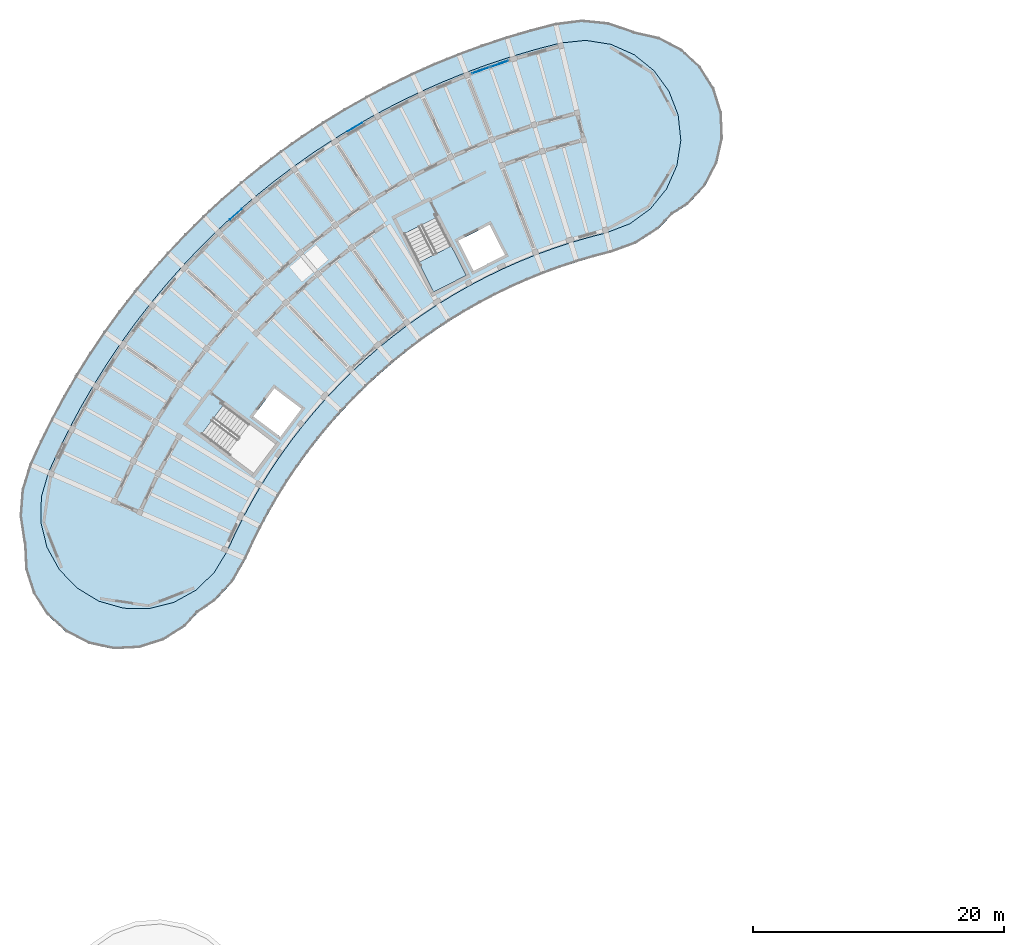
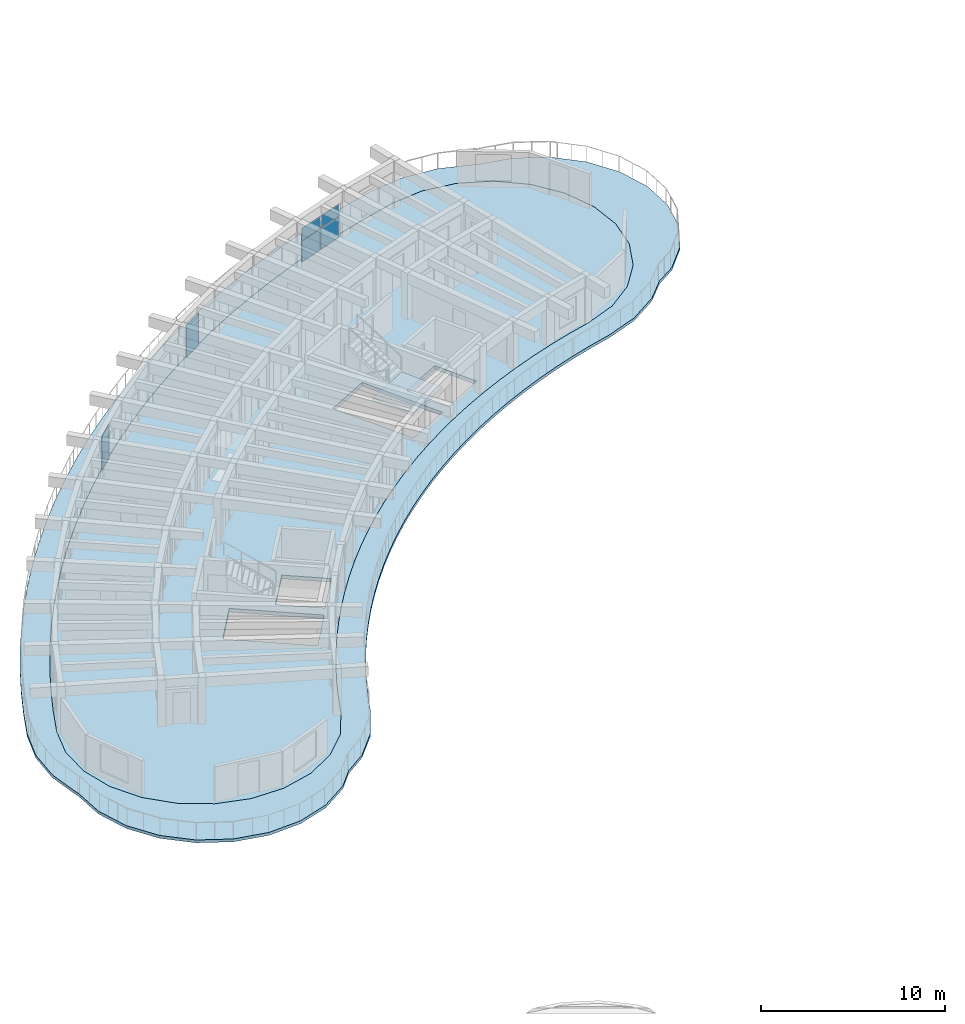
# One storey, part 16 of 36: 6 plates, 3 slabs, 2 elements without a shape of their own.
"""IFC4 building model written with IfcOpenShell, lengths in metres."""

import ifcopenshell
import ifcopenshell.guid

model = None  # the IFC model being written
_history = None  # IfcOwnerHistory: only IFC2X3 demands one
_inside = {}  # id of a spatial element -> (the spatial element, [elements in it])
_under = {}  # id of a project, library or spatial element -> (it, [spatial elements below it])
_declared = {}  # id of a project -> (the project, [libraries it declares])
_typed = {}  # id of a type object -> (the type object, [elements of that type])
_made_of = {}  # id of a material, layer set ... -> (it, [elements and type objects made of it])


def new_model(schema):
    """Start an empty IFC model of exactly this schema.

    Asked for "IFC4X3", IfcOpenShell would pick the latest addendum, in which some entities
    have other attributes; the version numbers below select the first issue.
    IFC2X3 requires an IfcOwnerHistory on every rooted entity: one is made here for all.
    """
    global model, _history
    if schema == "IFC4X3":
        model = ifcopenshell.file(schema_version=(4, 3, 0, 0))
    else:
        model = ifcopenshell.file(schema=schema)
    _inside.clear()
    _under.clear()
    _declared.clear()
    _typed.clear()
    _made_of.clear()
    _history = None
    if model.schema == "IFC2X3":
        org = make("IfcOrganization", Name="unknown")
        user = make(
            "IfcPersonAndOrganization",
            ThePerson=make("IfcPerson", FamilyName="unknown"),
            TheOrganization=org,
        )
        app = make(
            "IfcApplication",
            ApplicationDeveloper=org,
            Version="unknown",
            ApplicationFullName="unknown",
            ApplicationIdentifier="unknown",
        )
        _history = make(
            "IfcOwnerHistory",
            OwningUser=user,
            OwningApplication=app,
            ChangeAction="ADDED",
            CreationDate=0,
        )
    return model


def make(cls, **values):
    """One entity of the class cls with the attributes given. An attribute that is None is left unset."""
    return model.create_entity(
        cls, **{name: value for name, value in values.items() if value is not None}
    )


def rooted(cls, **values):
    """An entity with a GlobalId (a new one), such as an element, a storey or a relation."""
    return make(cls, GlobalId=ifcopenshell.guid.new(), OwnerHistory=_history, **values)


def si_unit(unit_type, name, prefix=None):
    """IfcSIUnit, for example si_unit("LENGTHUNIT", "METRE", prefix="MILLI")."""
    return make("IfcSIUnit", UnitType=unit_type, Prefix=prefix, Name=name)


def assignment(units):
    """IfcUnitAssignment: the units of a project."""
    return None if units is None else make("IfcUnitAssignment", Units=units)


def point(xyz):
    """IfcCartesianPoint."""
    return None if xyz is None else make("IfcCartesianPoint", Coordinates=xyz)


def direction(xyz):
    """IfcDirection."""
    return None if xyz is None else make("IfcDirection", DirectionRatios=xyz)


def frame(location, z_axis=None, x_axis=None):
    """IfcAxis2Placement3D, a coordinate frame: its origin and axes. An axis left out is left unset."""
    return make(
        "IfcAxis2Placement3D",
        Location=point(location),
        Axis=direction(z_axis),
        RefDirection=direction(x_axis),
    )


def frame_2d(location, x_axis=None):
    """IfcAxis2Placement2D, a coordinate frame in the plane: its origin and x axis."""
    return make(
        "IfcAxis2Placement2D", Location=point(location), RefDirection=direction(x_axis)
    )


def origin():
    """The frame at (0, 0, 0) with its axes left unset."""
    return frame((0.0, 0.0, 0.0))


def origin_2d():
    """The frame at (0, 0) in the plane with its x axis left unset."""
    return frame_2d((0.0, 0.0))


def place(relative_to, where):
    """IfcLocalPlacement: puts the frame where relative to a parent placement (None: the world)."""
    return make(
        "IfcLocalPlacement", PlacementRelTo=relative_to, RelativePlacement=where
    )


def context(
    kind, dimensions, precision=None, world=None, true_north=None, identifier=None
):
    """IfcGeometricRepresentationContext, for example the 3D "Model" context."""
    return make(
        "IfcGeometricRepresentationContext",
        ContextIdentifier=identifier,
        ContextType=kind,
        CoordinateSpaceDimension=dimensions,
        Precision=precision,
        WorldCoordinateSystem=world,
        TrueNorth=true_north,
    )


def subcontext(parent, identifier, kind, view, scale=None):
    """IfcGeometricRepresentationSubContext, for example "Body" below "Model"."""
    return make(
        "IfcGeometricRepresentationSubContext",
        ContextIdentifier=identifier,
        ContextType=kind,
        ParentContext=parent,
        TargetScale=scale,
        TargetView=view,
    )


def project(units=None, contexts=None):
    """IfcProject with its units and contexts."""
    return rooted(
        "IfcProject",
        Name="project",
        RepresentationContexts=contexts,
        UnitsInContext=assignment(units),
    )


def spatial(cls, under=None, at=None, **own):
    """A site, building, storey or space (cls), placed at a placement, below another one or the project."""
    s = rooted(cls, ObjectPlacement=at, **own)
    if under is not None:
        _under.setdefault(under.id(), (under, []))[1].append(s)
    return s


def polyline(points):
    """IfcPolyline through the points."""
    return make("IfcPolyline", Points=[point(p) for p in points])


def profile(cls, at=None, kind="AREA", **sizes):
    """A parametric profile (cls). Its sizes go by their IFC names, for example OverallWidth=200.0."""
    return make(cls, ProfileType=kind, Position=at, **sizes)


def rectangle(**sizes):
    """IfcRectangleProfileDef."""
    return profile("IfcRectangleProfileDef", **sizes)


def outline(outer, holes=None, kind="AREA"):
    """IfcArbitraryClosedProfileDef: a profile drawn as a closed curve; with holes, ...WithVoids."""
    if holes is None:
        return make("IfcArbitraryClosedProfileDef", ProfileType=kind, OuterCurve=outer)
    return make(
        "IfcArbitraryProfileDefWithVoids",
        ProfileType=kind,
        OuterCurve=outer,
        InnerCurves=holes,
    )


def extrude(swept, where, along, depth):
    """IfcExtrudedAreaSolid: the profile swept, set in the frame where, extruded along a direction by depth."""
    return make(
        "IfcExtrudedAreaSolid",
        SweptArea=swept,
        Position=where,
        ExtrudedDirection=direction(along),
        Depth=depth,
    )


def shape(context_of_items, identifier, shape_type, items):
    """IfcShapeRepresentation: the items that make up one representation, for example the "Body"."""
    return make(
        "IfcShapeRepresentation",
        ContextOfItems=context_of_items,
        RepresentationIdentifier=identifier,
        RepresentationType=shape_type,
        Items=items,
    )


def material(Name=None, Category=None):
    """IfcMaterial."""
    return make("IfcMaterial", Name=Name, Category=Category)


def layer(
    of_material, thickness, ventilated=None, Name=None, Category=None, Priority=None
):
    """IfcMaterialLayer: one layer of a wall or slab, of a material (None: an air gap)."""
    return make(
        "IfcMaterialLayer",
        Material=of_material,
        LayerThickness=thickness,
        IsVentilated=ventilated,
        Name=Name,
        Category=Category,
        Priority=Priority,
    )


def layer_set(layers, Name=None):
    """IfcMaterialLayerSet."""
    return make("IfcMaterialLayerSet", MaterialLayers=layers, LayerSetName=Name)


def made_of(thing, what):
    """Note that an element or type object is made of a material, layer set ...; save() writes the relation."""
    if what is not None:
        _made_of.setdefault(what.id(), (what, []))[1].append(thing)
    return thing


def type_object(cls, material=None, **own):
    """A type object (cls), such as IfcWallType, which elements share."""
    return made_of(rooted(cls, **own), material)


def element(
    cls,
    number,
    at=None,
    inside=None,
    cuts=None,
    type_object=None,
    material=None,
    context=None,
    identifier="Body",
    shape_type=None,
    held_by="IfcProductDefinitionShape",
    body=None,
    shapes=None,
    **own,
):
    """One element of the class cls, such as IfcWall. Its Tag is "e" and its number.

    at: its placement. inside: the storey or other place that contains it. cuts: it is an
    opening in that element (IfcRelVoidsElement). A single representation is given by context,
    identifier, shape_type and body (its items); several are given by shapes. held_by: the class
    of the entity that holds the representations. save() writes the other relations.
    """
    e = rooted(cls, Tag="e%d" % number, ObjectPlacement=at, **own)
    if body is not None:
        shapes = [shape(context, identifier, shape_type, body)]
    if shapes is not None:
        e.Representation = make(held_by, Representations=shapes)
    if inside is not None:
        _inside.setdefault(inside.id(), (inside, []))[1].append(e)
    if cuts is not None:
        rooted(
            "IfcRelVoidsElement", RelatingBuildingElement=cuts, RelatedOpeningElement=e
        )
    if type_object is not None:
        _typed.setdefault(type_object.id(), (type_object, []))[1].append(e)
    return made_of(e, material)


def aggregate(whole, parts):
    """IfcRelAggregates: a whole, such as a stair, and the parts it consists of."""
    return rooted("IfcRelAggregates", RelatingObject=whole, RelatedObjects=parts)


def save(model, path):
    """Write the relations noted so far, then the file.

    IfcRelAggregates (storeys below a building ...), IfcRelContainedInSpatialStructure (elements
    in a storey), IfcRelDefinesByType, IfcRelAssociatesMaterial and IfcRelDeclares: one each for
    every whole, place, type object, material and project.
    """
    for whole, parts in _under.values():
        aggregate(whole, parts)
    for where, things in _inside.values():
        rooted(
            "IfcRelContainedInSpatialStructure",
            RelatedElements=things,
            RelatingStructure=where,
        )
    for kind, things in _typed.values():
        rooted("IfcRelDefinesByType", RelatedObjects=things, RelatingType=kind)
    for what, things in _made_of.values():
        rooted("IfcRelAssociatesMaterial", RelatedObjects=things, RelatingMaterial=what)
    for by, libraries in _declared.values():
        rooted("IfcRelDeclares", RelatingContext=by, RelatedDefinitions=libraries)
    model.write(path)


model = new_model("IFC4")

# Units and contexts
model_context = context("Model", 3, precision=1e-05, world=origin(), true_north=direction((0.0, 1.0)))
body_context = subcontext(model_context, "Body", "Model", "MODEL_VIEW")
ifc_project = project(units=[si_unit("LENGTHUNIT", "METRE"), si_unit("AREAUNIT", "SQUARE_METRE"), si_unit("VOLUMEUNIT", "CUBIC_METRE"), si_unit("PLANEANGLEUNIT", "RADIAN"), si_unit("MASSUNIT", "GRAM", prefix="KILO")], contexts=[model_context])

# Site, building, storey
site_placement = place(None, origin())
site = spatial("IfcSite", under=ifc_project, at=site_placement, CompositionType="ELEMENT")
building_placement = place(site_placement, origin())
building = spatial("IfcBuilding", under=site, at=building_placement, Name="Tanwirah Colonnade Gardens", CompositionType="ELEMENT")
storey_placement = place(building_placement, frame((0.0, 0.0, 39.080078125)))
storey = spatial("IfcBuildingStorey", under=building, at=storey_placement, Name="L11", CompositionType="ELEMENT", Elevation=39.080078125)

# Curtain wall, plates
ifc_material_1 = material(Name="Bronze-anodised aluminium and solar-control low-E glass", Category="aluminium")
curtain_wall_type = type_object("IfcCurtainWallType", Name="CW-LOB", PredefinedType="NOTDEFINED", material=ifc_material_1)
curtain_wall_placement = place(storey_placement, origin())
curtain_wall = element("IfcCurtainWall", 1, at=curtain_wall_placement, inside=storey, type_object=curtain_wall_type, Name="Curtain Wall CW-A-L11-OUT-03", PredefinedType="NOTDEFINED")
ifc_material_2 = material(Name="Acoustic solar-control low-E double glazing", Category="glass")
ifc_layer_1 = layer(ifc_material_2, 0.031982421875)
ifc_layer_set_1 = layer_set([ifc_layer_1], Name="Acoustic solar-control low-E double glazing")
plate_type_1 = type_object("IfcPlateType", Name="CWP-GLZ32", PredefinedType="CURTAIN_PANEL", material=ifc_layer_set_1)
plate_1_placement = place(storey_placement, frame((46.14501953125, 116.657470703125, 0.070068359375), z_axis=(0.0, 0.0, 1.0), x_axis=(-0.944248655073, -0.329233165694, 0.0)))
plate_1 = element("IfcPlate", 2, at=plate_1_placement, type_object=plate_type_1, Name="CW-LOB panel 1.1", PredefinedType="CURTAIN_PANEL", context=body_context, shape_type="SweptSolid", body=[
    extrude(rectangle(XDim=1.497802734375, YDim=0.031982421875, at=origin_2d()), origin(), (0.0, 0.0, 1.0), 1.35498046875),
])
plate_2_placement = place(storey_placement, frame((46.14501953125, 116.657470703125, 1.4951171875), z_axis=(0.0, 0.0, 1.0), x_axis=(-0.944248655073, -0.329233165694, 0.0)))
plate_2 = element("IfcPlate", 3, at=plate_2_placement, type_object=plate_type_1, Name="CW-LOB panel 1.2", PredefinedType="CURTAIN_PANEL", context=body_context, shape_type="SweptSolid", body=[
    extrude(rectangle(XDim=1.497802734375, YDim=0.031982421875, at=origin_2d()), origin(), (0.0, 0.0, 1.0), 0.789794921875),
])
plate_3_placement = place(storey_placement, frame((44.66455078125, 116.141357421875, 0.070068359375), z_axis=(0.0, 0.0, 1.0), x_axis=(-0.944248655073, -0.329233165694, 0.0)))
plate_3 = element("IfcPlate", 4, at=plate_3_placement, type_object=plate_type_1, Name="CW-LOB panel 2.1", PredefinedType="CURTAIN_PANEL", context=body_context, shape_type="SweptSolid", body=[
    extrude(rectangle(XDim=1.497802734375, YDim=0.031982421875, at=origin_2d()), origin(), (0.0, 0.0, 1.0), 1.35498046875),
])
plate_4_placement = place(storey_placement, frame((44.66455078125, 116.141357421875, 1.4951171875), z_axis=(0.0, 0.0, 1.0), x_axis=(-0.944248655073, -0.329233165694, 0.0)))
plate_4 = element("IfcPlate", 5, at=plate_4_placement, type_object=plate_type_1, Name="CW-LOB panel 2.2", PredefinedType="CURTAIN_PANEL", context=body_context, shape_type="SweptSolid", body=[
    extrude(rectangle(XDim=1.497802734375, YDim=0.031982421875, at=origin_2d()), origin(), (0.0, 0.0, 1.0), 0.789794921875),
])
aggregate(curtain_wall, [plate_1, plate_2, plate_3, plate_4])

# Plates
ifc_material_3 = material(Name="Laser-cut bronze aluminium solar screen plate", Category="aluminium")
ifc_layer_2 = layer(ifc_material_3, 0.01611328125)
ifc_layer_set_2 = layer_set([ifc_layer_2], Name="Laser-cut bronze aluminium solar screen plate")
plate_type_2 = type_object("IfcPlateType", Name="PLT-SCR16", PredefinedType="SHEET", material=ifc_layer_set_2)
plate_5_placement = place(storey_placement, frame((34.62451171875, 111.623779296875, 0.0), z_axis=(0.0, 0.0, 1.0), x_axis=(-0.861135993911, -0.508374664978, 0.0)))
element("IfcPlate", 6, at=plate_5_placement, inside=storey, type_object=plate_type_2, Name="Perforated solar screen plate A-L11-06", PredefinedType="SHEET", context=body_context, shape_type="SweptSolid", body=[
    extrude(rectangle(XDim=1.35009765625, YDim=0.01611328125, at=origin_2d()), origin(), (0.0, 0.0, 1.0), 2.135009765625),
])
plate_6_placement = place(storey_placement, frame((25.13330078125, 104.671875, 0.0), z_axis=(0.0, 0.0, 1.0), x_axis=(-0.744440031514, -0.667689328565, 0.0)))
element("IfcPlate", 7, at=plate_6_placement, inside=storey, type_object=plate_type_2, Name="Perforated solar screen plate A-L11-09", PredefinedType="SHEET", context=body_context, shape_type="SweptSolid", body=[
    extrude(rectangle(XDim=1.25, YDim=0.01611328125, at=origin_2d()), origin(), (0.0, 0.0, 1.0), 2.25),
])

# Slab
ifc_material_4 = material(Name="White architectural precast concrete C40/50", Category="concrete")
ifc_layer_3 = layer(ifc_material_4, 0.18994140625)
ifc_layer_set_3 = layer_set([ifc_layer_3], Name="White architectural precast concrete C40/50")
slab_type_1 = type_object("IfcSlabType", Name="SL-BAL-190", PredefinedType="FLOOR", material=ifc_layer_set_3)
slab_1_placement = place(storey_placement, frame((0.0, 0.0, -0.190185546875)))
element("IfcSlab", 8, at=slab_1_placement, inside=storey, type_object=slab_type_1, Name="Block A L11 Continuous White Balcony Ribbon", PredefinedType="FLOOR", context=body_context, shape_type="SweptSolid", body=[
    extrude(outline(polyline([(59.935546875, 104.677001953125), (61.159423828125, 105.4501953125), (62.541015625, 106.946044921875), (63.48828125, 108.74853515625), (63.9365234375, 110.734619140625), (63.855712890625, 112.769287109375), (63.2509765625, 114.713623046875), (62.16357421875, 116.43505859375), (60.667724609375, 117.816650390625), (58.865234375, 118.763916015625), (56.881591796875, 119.211669921875), (56.786865234375, 119.26953125), (54.791748046875, 119.940673828125), (52.697265625, 120.150634765625), (50.608642578125, 119.8896484375), (48.64892578125, 119.3828125), (46.70703125, 118.811767578125), (44.78515625, 118.1767578125), (42.885009765625, 117.47900390625), (41.009033203125, 116.718994140625), (39.1591796875, 115.8974609375), (37.33740234375, 115.015380859375), (35.545654296875, 114.073974609375), (33.785888671875, 113.07373046875), (32.06005859375, 112.01611328125), (30.3701171875, 110.90234375), (28.717529296875, 109.7333984375), (27.104736328125, 108.510498046875), (25.532958984375, 107.235107421875), (24.00390625, 105.90869140625), (22.51953125, 104.532470703125), (21.08154296875, 103.108154296875), (19.69091796875, 101.63720703125), (18.349853515625, 100.121337890625), (17.059326171875, 98.56201171875), (15.82080078125, 96.9609375), (14.6357421875, 95.320068359375), (13.505615234375, 93.640869140625), (12.431396484375, 91.92529296875), (11.414306640625, 90.17529296875), (10.455322265625, 88.392822265625), (9.5556640625, 86.57958984375), (8.71630859375, 84.73779296875), (8.096435546875, 82.72607421875), (7.939697265625, 80.627197265625), (8.25390625, 78.545654296875), (8.294677734375, 78.4423828125), (8.39111328125, 76.4111328125), (9.010986328125, 74.4716796875), (10.11181640625, 72.758544921875), (11.618408203125, 71.388671875), (13.427978515625, 70.45556640625), (15.417724609375, 70.0224609375), (17.45166015625, 70.119140625), (19.39111328125, 70.739013671875), (21.104248046875, 71.83984375), (22.078125, 72.910888671875), (23.466552734375, 73.85791015625), (24.897705078125, 75.4013671875), (25.94970703125, 77.224609375), (26.531982421875, 78.50244140625), (27.15625, 79.760498046875), (27.821533203125, 80.997314453125), (28.52734375, 82.21142578125), (29.272705078125, 83.401611328125), (30.056884765625, 84.566650390625), (30.87890625, 85.705078125), (31.73828125, 86.81591796875), (32.633544921875, 87.89794921875), (33.564208984375, 88.94970703125), (34.52880859375, 89.97021484375), (35.526611328125, 90.95849609375), (36.556396484375, 91.9130859375), (37.6171875, 92.83349609375), (38.707763671875, 93.71826171875), (39.826904296875, 94.566650390625), (40.973388671875, 95.3779296875), (42.14599609375, 96.150634765625), (43.34326171875, 96.884521484375), (44.564208984375, 97.578369140625), (45.807373046875, 98.231689453125), (47.0712890625, 98.843505859375), (48.354736328125, 99.41357421875), (49.656494140625, 99.94091796875), (50.974609375, 100.425048828125), (52.30810546875, 100.865478515625), (53.655517578125, 101.26171875), (55.01513671875, 101.61328125), (56.9931640625, 102.332763671875), (58.76171875, 103.47412109375), (59.935546875, 104.677001953125)]), holes=[polyline([(56.53076171875, 103.91796875), (54.634033203125, 103.187744140625), (53.224365234375, 102.8232421875), (53.2236328125, 102.822998046875), (51.825927734375, 102.411865234375), (51.8251953125, 102.411865234375), (50.441650390625, 101.954833984375), (50.44091796875, 101.95458984375), (49.0732421875, 101.4521484375), (49.07275390625, 101.451904296875), (47.72216796875, 100.90478515625), (47.7216796875, 100.904541015625), (46.389892578125, 100.313232421875), (46.38916015625, 100.31298828125), (45.077880859375, 99.677978515625), (45.0771484375, 99.677734375), (43.787353515625, 99.0), (43.786865234375, 98.99951171875), (42.52001953125, 98.279541015625), (42.51953125, 98.279296875), (41.277099609375, 97.51806640625), (41.276611328125, 97.517578125), (40.059814453125, 96.7158203125), (40.059326171875, 96.71533203125), (38.869873046875, 95.873779296875), (38.869384765625, 95.87353515625), (37.708251953125, 94.9931640625), (37.707763671875, 94.99267578125), (36.576171875, 94.07470703125), (36.57568359375, 94.07421875), (35.47509765625, 93.119384765625), (35.474609375, 93.118896484375), (34.406005859375, 92.12841796875), (34.405517578125, 92.1279296875), (33.370361328125, 91.1025390625), (33.369873046875, 91.10205078125), (32.368896484375, 90.043212890625), (32.368408203125, 90.042724609375), (31.40283203125, 88.951416015625), (31.402587890625, 88.950927734375), (30.473388671875, 87.828369140625), (30.47314453125, 87.827880859375), (29.58154296875, 86.67529296875), (29.581298828125, 86.6748046875), (28.728271484375, 85.493408203125), (28.727783203125, 85.492919921875), (27.9140625, 84.2841796875), (27.913818359375, 84.28369140625), (27.140380859375, 83.048828125), (27.14013671875, 83.048095703125), (26.407958984375, 81.788330078125), (26.40771484375, 81.787841796875), (25.71728515625, 80.504638671875), (25.717041015625, 80.504150390625), (25.0693359375, 79.19873046875), (25.069091796875, 79.1982421875), (24.46533203125, 77.873291015625), (23.416748046875, 76.13232421875), (21.95458984375, 74.722900390625), (20.17724609375, 73.739990234375), (18.206298828125, 73.25048828125), (16.175537109375, 73.287841796875), (14.223876953125, 73.849609375), (12.484130859375, 74.897216796875), (11.07470703125, 76.359619140625), (10.091796875, 78.136962890625), (9.602294921875, 80.10791015625), (9.6396484375, 82.138671875), (10.20166015625, 84.09130859375), (11.0185546875, 85.883544921875), (11.89453125, 87.64892578125), (12.828125, 89.384521484375), (13.818359375, 91.08837890625), (14.8642578125, 92.758544921875), (15.964599609375, 94.393310546875), (17.118408203125, 95.990966796875), (18.32421875, 97.5498046875), (19.58056640625, 99.068115234375), (20.886474609375, 100.5439453125), (22.240234375, 101.97607421875), (23.640380859375, 103.36279296875), (25.085693359375, 104.70263671875), (26.57421875, 105.994140625), (28.1044921875, 107.23583984375), (29.6748046875, 108.42626953125), (31.28369140625, 109.564453125), (32.92919921875, 110.649169921875), (34.609375, 111.6787109375), (36.32275390625, 112.652587890625), (38.067138671875, 113.5693359375), (39.841064453125, 114.427978515625), (41.64208984375, 115.227783203125), (43.468505859375, 115.9677734375), (45.318359375, 116.647216796875), (47.189697265625, 117.26513671875), (49.080322265625, 117.8212890625), (50.987060546875, 118.314453125), (53.0078125, 118.52880859375), (55.01416015625, 118.213134765625), (56.870361328125, 117.388671875), (58.449951171875, 116.1123046875), (59.645263671875, 114.47021484375), (60.375, 112.574951171875), (60.589111328125, 110.555419921875), (60.2734375, 108.549072265625), (59.44921875, 106.69287109375), (58.172607421875, 105.11328125), (56.53076171875, 103.91796875)])]), origin(), (0.0, 0.0, 1.0), 0.190185546875),
])

# Stair, slab
ifc_material_5 = material(Name="Precast concrete C40/50", Category="concrete")
stair_type = type_object("IfcStairType", Name="ST-RES168", PredefinedType="HALF_TURN_STAIR", material=ifc_material_5)
stair_placement = place(storey_placement, origin())
stair = element("IfcStair", 9, at=stair_placement, inside=storey, type_object=stair_type, Name="L11 Block A Core 1 Exit Stair", PredefinedType="HALF_TURN_STAIR")
ifc_layer_4 = layer(ifc_material_5, 0.205078125)
ifc_layer_set_4 = layer_set([ifc_layer_4], Name="Precast concrete C40/50")
slab_type_2 = type_object("IfcSlabType", Name="SL-LND-205", PredefinedType="LANDING", material=ifc_layer_set_4)
slab_2_placement = place(storey_placement, frame((0.0, 0.0, 1.474853515625)))
slab_2 = element("IfcSlab", 10, at=slab_2_placement, type_object=slab_type_2, Name="ST-A1 landing 1", PredefinedType="LANDING", context=body_context, shape_type="SweptSolid", body=[
    extrude(outline(polyline([(39.6982421875, 100.826171875), (40.89453125, 98.478515625), (43.496337890625, 99.80419921875), (42.300048828125, 102.15185546875), (39.6982421875, 100.826171875)])), origin(), (0.0, 0.0, 1.0), 0.205078125),
])
aggregate(stair, [slab_2])

# Slab
ifc_layer_5 = layer(ifc_material_5, 0.2451171875)
ifc_layer_set_5 = layer_set([ifc_layer_5], Name="Precast concrete C40/50")
slab_type_3 = type_object("IfcSlabType", Name="SL-RES-245", PredefinedType="FLOOR", material=ifc_layer_set_5)
slab_3_placement = place(storey_placement, frame((0.0, 0.0, -0.2451171875)))
element("IfcSlab", 11, at=slab_3_placement, inside=storey, type_object=slab_type_3, Name="Block A L11 Precast Composite Floor Slab", PredefinedType="FLOOR", context=body_context, shape_type="SweptSolid", body=[
    extrude(outline(polyline([(51.83154296875, 102.392822265625), (53.229248046875, 102.803955078125), (54.64013671875, 103.168701171875), (56.540283203125, 103.900390625), (58.1865234375, 105.0986328125), (59.46630859375, 106.682373046875), (60.292724609375, 108.54345703125), (60.609375, 110.554931640625), (60.39453125, 112.57958984375), (59.6630859375, 114.47998046875), (58.464599609375, 116.1259765625), (56.880859375, 117.406005859375), (55.019775390625, 118.232421875), (53.008544921875, 118.549072265625), (50.983642578125, 118.334228515625), (49.074951171875, 117.840576171875), (47.183837890625, 117.284423828125), (45.311767578125, 116.666015625), (43.46142578125, 115.986328125), (41.63427734375, 115.24609375), (39.83251953125, 114.446044921875), (38.05810546875, 113.587158203125), (36.313232421875, 112.669921875), (34.599365234375, 111.696044921875), (32.91845703125, 110.666015625), (31.2724609375, 109.5810546875), (29.6630859375, 108.442626953125), (28.092041015625, 107.25146484375), (26.561279296875, 106.009521484375), (25.072265625, 104.717529296875), (23.62646484375, 103.377197265625), (22.225830078125, 101.990234375), (20.87158203125, 100.5576171875), (19.5654296875, 99.0810546875), (18.30859375, 97.562255859375), (17.102294921875, 96.0029296875), (15.9482421875, 94.40478515625), (14.847412109375, 92.76953125), (13.80126953125, 91.0986328125), (12.810546875, 89.394287109375), (11.876708984375, 87.658203125), (11.00048828125, 85.892333984375), (10.182861328125, 84.098388671875), (9.619873046875, 82.1416015625), (9.582275390625, 80.105712890625), (10.072998046875, 78.12939453125), (11.058349609375, 76.34765625), (12.471435546875, 74.881591796875), (14.2158203125, 73.8310546875), (16.172607421875, 73.26806640625), (18.20849609375, 73.23046875), (20.1845703125, 73.72119140625), (21.966552734375, 74.70654296875), (23.4326171875, 76.11962890625), (24.483154296875, 77.864013671875), (25.08740234375, 79.18994140625), (25.73486328125, 80.4951171875), (26.42529296875, 81.7783203125), (27.157470703125, 83.0380859375), (27.9306640625, 84.27294921875), (28.744384765625, 85.48193359375), (29.597412109375, 86.6630859375), (30.489013671875, 87.815673828125), (31.41796875, 88.938232421875), (32.38330078125, 90.029541015625), (33.38427734375, 91.08837890625), (34.419677734375, 92.11376953125), (35.48828125, 93.104248046875), (36.5888671875, 94.05908203125), (37.72021484375, 94.977294921875), (38.88134765625, 95.857421875), (40.07080078125, 96.698974609375), (41.28759765625, 97.5009765625), (42.52978515625, 98.26220703125), (43.796630859375, 98.982177734375), (45.08642578125, 99.659912109375), (46.39794921875, 100.294921875), (47.729736328125, 100.88623046875), (49.080078125, 101.433349609375), (50.447998046875, 101.935791015625), (51.83154296875, 102.392822265625)]), holes=[polyline([(41.13427734375, 104.433349609375), (43.49365234375, 99.802734375), (40.897216796875, 98.479736328125), (38.537841796875, 103.1103515625), (41.13427734375, 104.433349609375)]), polyline([(46.574462890625, 101.428466796875), (44.07958984375, 100.157470703125), (42.853759765625, 102.563232421875), (45.3486328125, 103.834228515625), (46.574462890625, 101.428466796875)]), polyline([(26.555908203125, 84.039794921875), (22.4052734375, 87.16748046875), (24.158935546875, 89.49462890625), (28.3095703125, 86.366943359375), (26.555908203125, 84.039794921875)]), polyline([(26.5244140625, 88.5673828125), (28.20947265625, 90.8037109375), (30.36572265625, 89.1787109375), (28.6806640625, 86.942626953125), (26.5244140625, 88.5673828125)])]), origin(), (0.0, 0.0, 1.0), 0.2451171875),
])

save(model, "model.ifc")
